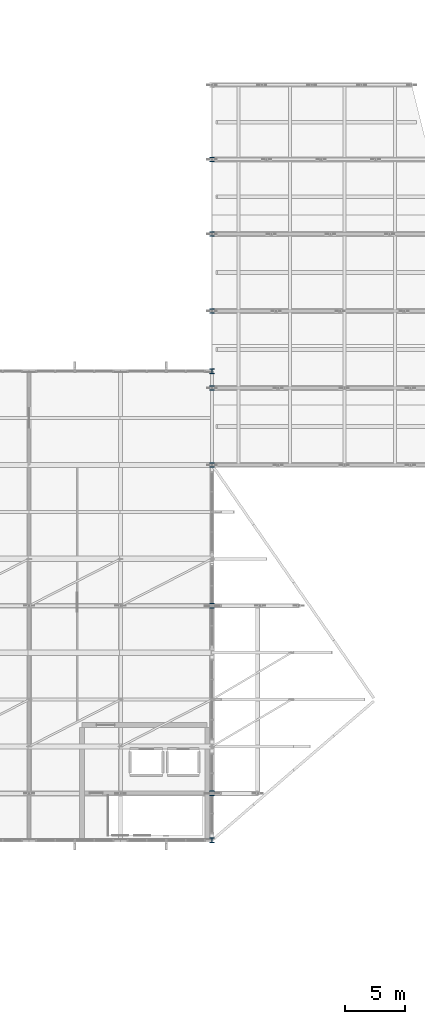
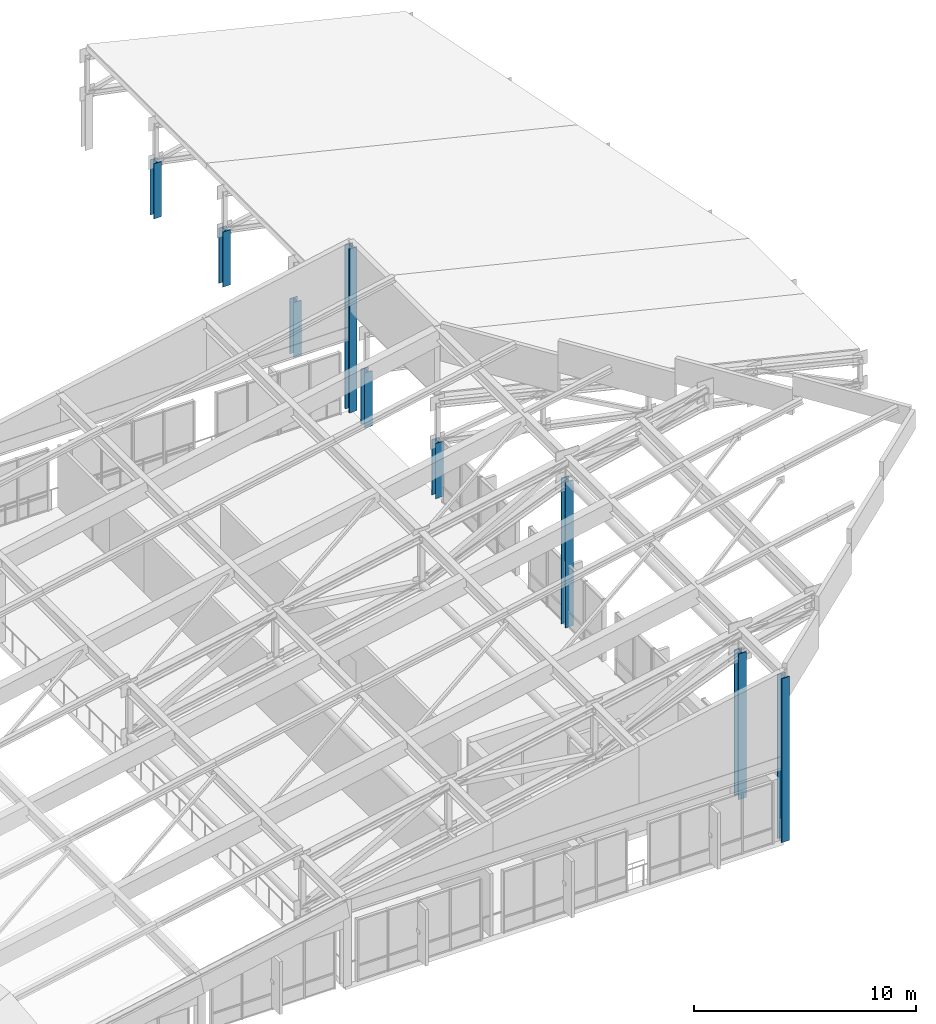
# One storey, part 8 of 73: 9 columns.
"""IFC4 building model written with IfcOpenShell, lengths in metres."""

from ifc_helpers import new_model, si_unit, direction, frame, origin, origin_2d, place, context, subcontext, project, spatial, i_section, extrude, material, material_profile, profile_set, type_object, element, save


model = new_model("IFC4")

# Units and contexts
model_context = context("Model", 3, precision=1e-05, world=origin(), true_north=direction((0.0, 1.0)))
body_context = subcontext(model_context, "Body", "Model", "MODEL_VIEW")
ifc_project = project(units=[si_unit("LENGTHUNIT", "METRE"), si_unit("AREAUNIT", "SQUARE_METRE"), si_unit("VOLUMEUNIT", "CUBIC_METRE"), si_unit("PLANEANGLEUNIT", "RADIAN"), si_unit("MASSUNIT", "GRAM", prefix="KILO")], contexts=[model_context])

# Site, building, storey
site_placement = place(None, origin())
site = spatial("IfcSite", under=ifc_project, at=site_placement, CompositionType="ELEMENT")
building_placement = place(site_placement, origin())
building = spatial("IfcBuilding", under=site, at=building_placement, Name="Vervanel Yard Central Library", CompositionType="ELEMENT")
storey_placement = place(building_placement, frame((0.0, 0.0, 12.780029296875)))
storey = spatial("IfcBuildingStorey", under=building, at=storey_placement, Name="L03", CompositionType="ELEMENT", Elevation=12.780029296875)

# Columns
ifc_material = material(Name="Steel ASTM A992 Grade 50", Category="steel")
ifc_material_profile_1 = material_profile(ifc_material, i_section(OverallWidth=0.396240234375, OverallDepth=0.381103515625, WebThickness=0.01904296875, FlangeThickness=0.0302734375, at=origin_2d()), Name="W14X159", Category="steel")
ifc_profile_set_1 = profile_set([ifc_material_profile_1], Name="Steel ASTM A992 Grade 50")
column_type_1 = type_object("IfcColumnType", Name="Steel Column W14X159", PredefinedType="COLUMN", material=ifc_profile_set_1)
for number, where, z_axis, x_axis, name in (
    (1, (146.0, 74.39990234375, 0.0), (0.0, 0.0, 1.0), (1.0, 0.0, 0.0), "L03 Auditorium Stage Truss Post 1"),
    (2, (146.0, 80.800048828125, 0.0), (0.0, 0.0, 1.0), (1.0, 0.0, 0.0), "L03 Auditorium Stage Truss Post 2"),
    (3, (146.0, 87.199951171875, 0.0), (0.0, 0.0, 1.0), (1.0, 0.0, 0.0), "L03 Auditorium Stage Truss Post 3"),
    (4, (146.0, 93.60009765625, 0.0), (0.0, 0.0, 1.0), (1.0, 0.0, 0.0), "L03 Auditorium Stage Truss Post 4"),
    (5, (146.0, 99.800048828125, 0.0), (0.0, 0.0, 1.0), (1.0, 0.0, 0.0), "L03 Auditorium Stage Truss Post 5"),
):
    element("IfcColumn", number, at=place(storey_placement, frame(where, z_axis=z_axis, x_axis=x_axis)), inside=storey, type_object=column_type_1, Name=name, PredefinedType="COLUMN", context=body_context, shape_type="SweptSolid", body=[
        extrude(i_section(OverallWidth=0.396240234375, OverallDepth=0.381103515625, WebThickness=0.01904296875, FlangeThickness=0.0302734375, at=origin_2d()), origin(), (0.0, 0.0, 1.0), 3.0400390625),
    ])
ifc_material_profile_2 = material_profile(ifc_material, i_section(OverallWidth=0.406494140625, OverallDepth=0.41650390625, WebThickness=0.030029296875, FlangeThickness=0.048095703125, at=origin_2d()), Name="W14X257", Category="steel")
ifc_profile_set_2 = profile_set([ifc_material_profile_2], Name="Steel ASTM A992 Grade 50")
column_type_2 = type_object("IfcColumnType", Name="Steel Fulcrum Post W14X257", PredefinedType="COLUMN", material=ifc_profile_set_2)
for number, where, z_axis, x_axis, name in (
    (6, (146.0, 47.10009765625, 0.0), (0.0, 0.0, 1.0), (1.0, 0.0, 0.0), "L03 Prow Truss Fulcrum Post S"),
    (7, (146.0, 62.699951171875, 0.0), (0.0, 0.0, 1.0), (1.0, 0.0, 0.0), "L03 Prow Truss Fulcrum Post N"),
):
    element("IfcColumn", number, at=place(storey_placement, frame(where, z_axis=z_axis, x_axis=x_axis)), inside=storey, type_object=column_type_2, Name=name, PredefinedType="COLUMN", context=body_context, shape_type="SweptSolid", body=[
        extrude(i_section(OverallWidth=0.406494140625, OverallDepth=0.41650390625, WebThickness=0.030029296875, FlangeThickness=0.048095703125, at=origin_2d()), origin(), (0.0, 0.0, 1.0), 8.01513671875),
    ])
for number, where, z_axis, x_axis, name in (
    (8, (146.0, 43.199951171875, 0.0), (0.0, 0.0, 1.0), (1.0, 0.0, 0.0), "L03 V3 Spandrel Support Post S X=146.0"),
    (9, (146.0, 82.199951171875, 0.0), (0.0, 0.0, 1.0), (1.0, 0.0, 0.0), "L03 V3 Spandrel Support Post N X=146.0"),
):
    element("IfcColumn", number, at=place(storey_placement, frame(where, z_axis=z_axis, x_axis=x_axis)), inside=storey, type_object=column_type_2, Name=name, PredefinedType="COLUMN", context=body_context, shape_type="SweptSolid", body=[
        extrude(i_section(OverallWidth=0.406494140625, OverallDepth=0.41650390625, WebThickness=0.030029296875, FlangeThickness=0.048095703125, at=origin_2d()), origin(), (0.0, 0.0, 1.0), 9.025390625),
    ])

save(model, "model.ifc")
